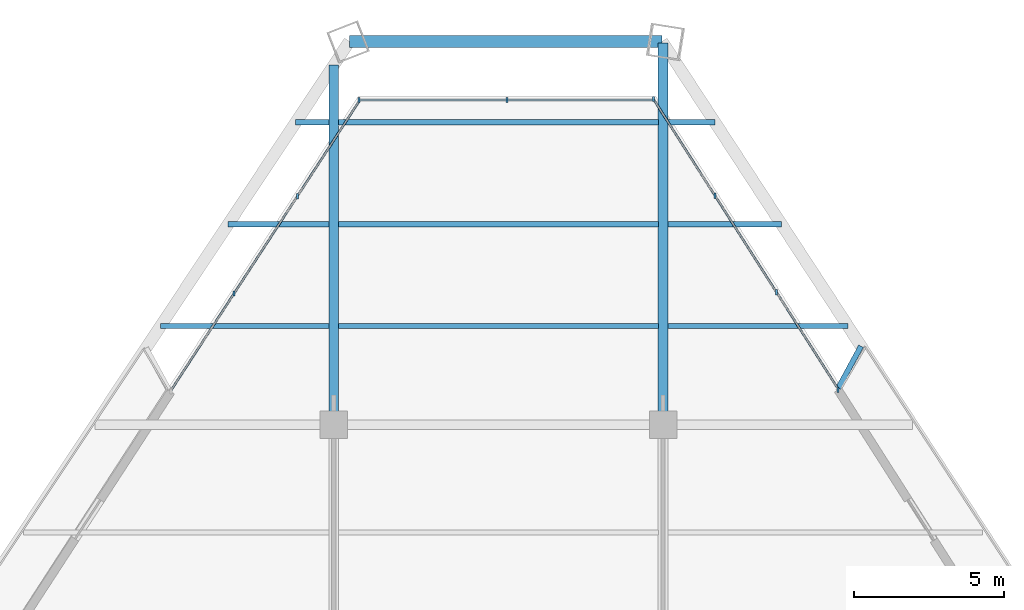
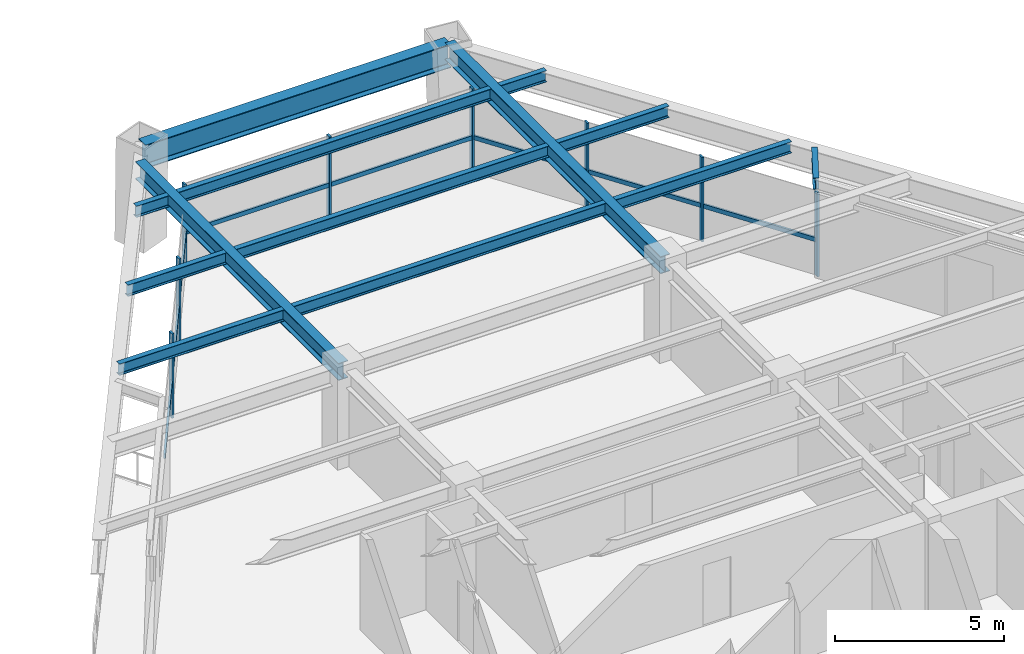
# One storey, part 9 of 15: 16 members, 13 beams, 3 elements without a shape of their own.
"""IFC4 building model written with IfcOpenShell, lengths in metres."""

import ifcopenshell
import ifcopenshell.guid

model = None  # the IFC model being written
_history = None  # IfcOwnerHistory: only IFC2X3 demands one
_inside = {}  # id of a spatial element -> (the spatial element, [elements in it])
_under = {}  # id of a project, library or spatial element -> (it, [spatial elements below it])
_declared = {}  # id of a project -> (the project, [libraries it declares])
_typed = {}  # id of a type object -> (the type object, [elements of that type])
_made_of = {}  # id of a material, layer set ... -> (it, [elements and type objects made of it])


def new_model(schema):
    """Start an empty IFC model of exactly this schema.

    Asked for "IFC4X3", IfcOpenShell would pick the latest addendum, in which some entities
    have other attributes; the version numbers below select the first issue.
    IFC2X3 requires an IfcOwnerHistory on every rooted entity: one is made here for all.
    """
    global model, _history
    if schema == "IFC4X3":
        model = ifcopenshell.file(schema_version=(4, 3, 0, 0))
    else:
        model = ifcopenshell.file(schema=schema)
    _inside.clear()
    _under.clear()
    _declared.clear()
    _typed.clear()
    _made_of.clear()
    _history = None
    if model.schema == "IFC2X3":
        org = make("IfcOrganization", Name="unknown")
        user = make(
            "IfcPersonAndOrganization",
            ThePerson=make("IfcPerson", FamilyName="unknown"),
            TheOrganization=org,
        )
        app = make(
            "IfcApplication",
            ApplicationDeveloper=org,
            Version="unknown",
            ApplicationFullName="unknown",
            ApplicationIdentifier="unknown",
        )
        _history = make(
            "IfcOwnerHistory",
            OwningUser=user,
            OwningApplication=app,
            ChangeAction="ADDED",
            CreationDate=0,
        )
    return model


def make(cls, **values):
    """One entity of the class cls with the attributes given. An attribute that is None is left unset."""
    return model.create_entity(
        cls, **{name: value for name, value in values.items() if value is not None}
    )


def rooted(cls, **values):
    """An entity with a GlobalId (a new one), such as an element, a storey or a relation."""
    return make(cls, GlobalId=ifcopenshell.guid.new(), OwnerHistory=_history, **values)


def si_unit(unit_type, name, prefix=None):
    """IfcSIUnit, for example si_unit("LENGTHUNIT", "METRE", prefix="MILLI")."""
    return make("IfcSIUnit", UnitType=unit_type, Prefix=prefix, Name=name)


def assignment(units):
    """IfcUnitAssignment: the units of a project."""
    return None if units is None else make("IfcUnitAssignment", Units=units)


def point(xyz):
    """IfcCartesianPoint."""
    return None if xyz is None else make("IfcCartesianPoint", Coordinates=xyz)


def direction(xyz):
    """IfcDirection."""
    return None if xyz is None else make("IfcDirection", DirectionRatios=xyz)


def frame(location, z_axis=None, x_axis=None):
    """IfcAxis2Placement3D, a coordinate frame: its origin and axes. An axis left out is left unset."""
    return make(
        "IfcAxis2Placement3D",
        Location=point(location),
        Axis=direction(z_axis),
        RefDirection=direction(x_axis),
    )


def frame_2d(location, x_axis=None):
    """IfcAxis2Placement2D, a coordinate frame in the plane: its origin and x axis."""
    return make(
        "IfcAxis2Placement2D", Location=point(location), RefDirection=direction(x_axis)
    )


def origin():
    """The frame at (0, 0, 0) with its axes left unset."""
    return frame((0.0, 0.0, 0.0))


def origin_2d():
    """The frame at (0, 0) in the plane with its x axis left unset."""
    return frame_2d((0.0, 0.0))


def place(relative_to, where):
    """IfcLocalPlacement: puts the frame where relative to a parent placement (None: the world)."""
    return make(
        "IfcLocalPlacement", PlacementRelTo=relative_to, RelativePlacement=where
    )


def context(
    kind, dimensions, precision=None, world=None, true_north=None, identifier=None
):
    """IfcGeometricRepresentationContext, for example the 3D "Model" context."""
    return make(
        "IfcGeometricRepresentationContext",
        ContextIdentifier=identifier,
        ContextType=kind,
        CoordinateSpaceDimension=dimensions,
        Precision=precision,
        WorldCoordinateSystem=world,
        TrueNorth=true_north,
    )


def subcontext(parent, identifier, kind, view, scale=None):
    """IfcGeometricRepresentationSubContext, for example "Body" below "Model"."""
    return make(
        "IfcGeometricRepresentationSubContext",
        ContextIdentifier=identifier,
        ContextType=kind,
        ParentContext=parent,
        TargetScale=scale,
        TargetView=view,
    )


def project(units=None, contexts=None):
    """IfcProject with its units and contexts."""
    return rooted(
        "IfcProject",
        Name="project",
        RepresentationContexts=contexts,
        UnitsInContext=assignment(units),
    )


def spatial(cls, under=None, at=None, **own):
    """A site, building, storey or space (cls), placed at a placement, below another one or the project."""
    s = rooted(cls, ObjectPlacement=at, **own)
    if under is not None:
        _under.setdefault(under.id(), (under, []))[1].append(s)
    return s


def profile(cls, at=None, kind="AREA", **sizes):
    """A parametric profile (cls). Its sizes go by their IFC names, for example OverallWidth=200.0."""
    return make(cls, ProfileType=kind, Position=at, **sizes)


def rectangle(**sizes):
    """IfcRectangleProfileDef."""
    return profile("IfcRectangleProfileDef", **sizes)


def i_section(**sizes):
    """IfcIShapeProfileDef."""
    return profile("IfcIShapeProfileDef", **sizes)


def extrude(swept, where, along, depth):
    """IfcExtrudedAreaSolid: the profile swept, set in the frame where, extruded along a direction by depth."""
    return make(
        "IfcExtrudedAreaSolid",
        SweptArea=swept,
        Position=where,
        ExtrudedDirection=direction(along),
        Depth=depth,
    )


def shape(context_of_items, identifier, shape_type, items):
    """IfcShapeRepresentation: the items that make up one representation, for example the "Body"."""
    return make(
        "IfcShapeRepresentation",
        ContextOfItems=context_of_items,
        RepresentationIdentifier=identifier,
        RepresentationType=shape_type,
        Items=items,
    )


def source(mapping_origin, context_of_items, identifier, shape_type, items):
    """IfcRepresentationMap: a shape defined once, which mapped items show again and again."""
    return make(
        "IfcRepresentationMap",
        MappingOrigin=mapping_origin,
        MappedRepresentation=shape(context_of_items, identifier, shape_type, items),
    )


def transform(
    local_origin,
    x_axis=None,
    y_axis=None,
    z_axis=None,
    scale=None,
    scale2=None,
    scale3=None,
    uniform=True,
):
    """IfcCartesianTransformationOperator3D, or its non-uniform kind. x_axis, y_axis, z_axis: its Axis1, 2, 3."""
    if uniform:
        return make(
            "IfcCartesianTransformationOperator3D",
            Axis1=direction(x_axis),
            Axis2=direction(y_axis),
            LocalOrigin=point(local_origin),
            Scale=scale,
            Axis3=direction(z_axis),
        )
    return make(
        "IfcCartesianTransformationOperator3DnonUniform",
        Axis1=direction(x_axis),
        Axis2=direction(y_axis),
        LocalOrigin=point(local_origin),
        Scale=scale,
        Axis3=direction(z_axis),
        Scale2=scale2,
        Scale3=scale3,
    )


def mapped(mapping_source, mapping_target):
    """IfcMappedItem: shows the shape of a source again, moved by a transform."""
    return make(
        "IfcMappedItem", MappingSource=mapping_source, MappingTarget=mapping_target
    )


def material(Name=None, Category=None):
    """IfcMaterial."""
    return make("IfcMaterial", Name=Name, Category=Category)


def material_profile(
    of_material, cross_section, Name=None, Category=None, Priority=None
):
    """IfcMaterialProfile: a cross section and its material."""
    return make(
        "IfcMaterialProfile",
        Name=Name,
        Material=of_material,
        Profile=cross_section,
        Priority=Priority,
        Category=Category,
    )


def profile_set(profiles, Name=None, composite=None):
    """IfcMaterialProfileSet."""
    return make(
        "IfcMaterialProfileSet",
        Name=Name,
        MaterialProfiles=profiles,
        CompositeProfile=composite,
    )


def made_of(thing, what):
    """Note that an element or type object is made of a material, layer set ...; save() writes the relation."""
    if what is not None:
        _made_of.setdefault(what.id(), (what, []))[1].append(thing)
    return thing


def type_object(cls, material=None, **own):
    """A type object (cls), such as IfcWallType, which elements share."""
    return made_of(rooted(cls, **own), material)


def element(
    cls,
    number,
    at=None,
    inside=None,
    cuts=None,
    type_object=None,
    material=None,
    context=None,
    identifier="Body",
    shape_type=None,
    held_by="IfcProductDefinitionShape",
    body=None,
    shapes=None,
    **own,
):
    """One element of the class cls, such as IfcWall. Its Tag is "e" and its number.

    at: its placement. inside: the storey or other place that contains it. cuts: it is an
    opening in that element (IfcRelVoidsElement). A single representation is given by context,
    identifier, shape_type and body (its items); several are given by shapes. held_by: the class
    of the entity that holds the representations. save() writes the other relations.
    """
    e = rooted(cls, Tag="e%d" % number, ObjectPlacement=at, **own)
    if body is not None:
        shapes = [shape(context, identifier, shape_type, body)]
    if shapes is not None:
        e.Representation = make(held_by, Representations=shapes)
    if inside is not None:
        _inside.setdefault(inside.id(), (inside, []))[1].append(e)
    if cuts is not None:
        rooted(
            "IfcRelVoidsElement", RelatingBuildingElement=cuts, RelatedOpeningElement=e
        )
    if type_object is not None:
        _typed.setdefault(type_object.id(), (type_object, []))[1].append(e)
    return made_of(e, material)


def aggregate(whole, parts):
    """IfcRelAggregates: a whole, such as a stair, and the parts it consists of."""
    return rooted("IfcRelAggregates", RelatingObject=whole, RelatedObjects=parts)


def save(model, path):
    """Write the relations noted so far, then the file.

    IfcRelAggregates (storeys below a building ...), IfcRelContainedInSpatialStructure (elements
    in a storey), IfcRelDefinesByType, IfcRelAssociatesMaterial and IfcRelDeclares: one each for
    every whole, place, type object, material and project.
    """
    for whole, parts in _under.values():
        aggregate(whole, parts)
    for where, things in _inside.values():
        rooted(
            "IfcRelContainedInSpatialStructure",
            RelatedElements=things,
            RelatingStructure=where,
        )
    for kind, things in _typed.values():
        rooted("IfcRelDefinesByType", RelatedObjects=things, RelatingType=kind)
    for what, things in _made_of.values():
        rooted("IfcRelAssociatesMaterial", RelatedObjects=things, RelatingMaterial=what)
    for by, libraries in _declared.values():
        rooted("IfcRelDeclares", RelatingContext=by, RelatedDefinitions=libraries)
    model.write(path)


model = new_model("IFC4")

# Units and contexts
model_context = context("Model", 3, precision=1e-05, world=origin(), true_north=direction((0.0, 1.0)))
body_context = subcontext(model_context, "Body", "Model", "MODEL_VIEW")
ifc_project = project(units=[si_unit("LENGTHUNIT", "METRE"), si_unit("AREAUNIT", "SQUARE_METRE"), si_unit("VOLUMEUNIT", "CUBIC_METRE"), si_unit("PLANEANGLEUNIT", "RADIAN"), si_unit("MASSUNIT", "GRAM", prefix="KILO")], contexts=[model_context])

# Site, building, storey
site_placement = place(None, origin())
site = spatial("IfcSite", under=ifc_project, at=site_placement, CompositionType="ELEMENT")
building_placement = place(site_placement, origin())
building = spatial("IfcBuilding", under=site, at=building_placement, Name="Varnakhor Terracotta Tower", CompositionType="ELEMENT")
storey_placement = place(building_placement, frame((0.0, 0.0, 140.39990234375)))
storey = spatial("IfcBuildingStorey", under=building, at=storey_placement, Name="L35", CompositionType="ELEMENT", Elevation=140.39990234375)

# Beams
ifc_material_1 = material(Name="Steel S355", Category="steel")
ifc_material_profile_1 = material_profile(ifc_material_1, i_section(OverallWidth=0.179931640625, OverallDepth=0.4130859375, WebThickness=0.009765625, FlangeThickness=0.01611328125, FilletRadius=0.01806640625, at=origin_2d()), Name="W16X50")
ifc_profile_set_1 = profile_set([ifc_material_profile_1], Name="Steel S355")
beam_type_1 = type_object("IfcBeamType", Name="JST-W16X50", PredefinedType="JOIST", material=ifc_profile_set_1)
shared_shape_1 = source(origin(), body_context, "Body", "SweptSolid", [
    extrude(i_section(OverallWidth=0.179931640625, OverallDepth=0.4130859375, WebThickness=0.009765625, FlangeThickness=0.01611328125, FilletRadius=0.01806640625, at=origin_2d()), origin(), (0.0, 0.0, 1.0), 10.68310546875),
])
for number, where, z_axis, x_axis, name in (
    (1, (-5.341552734375, 34.800048828125, 3.263671875), (1.0, 0.0, 0.0), (0.0, 1.0, 0.0), "L35 Composite Floor Joist 7-2"),
    (2, (-5.341552734375, 38.199951171875, 3.263671875), (1.0, 0.0, 0.0), (0.0, 1.0, 0.0), "L35 Composite Floor Joist 8-2"),
    (3, (-5.341552734375, 41.60009765625, 3.263671875), (1.0, 0.0, 0.0), (0.0, 1.0, 0.0), "L35 Composite Floor Joist 9-2"),
):
    element("IfcBeam", number, at=place(storey_placement, frame(where, z_axis=z_axis, x_axis=x_axis)), inside=storey, type_object=beam_type_1, Name=name, PredefinedType="JOIST", context=body_context, shape_type="MappedRepresentation", body=[
        mapped(shared_shape_1, transform((0.0, 0.0, 0.0), scale=1.0)),
    ])
ifc_material_profile_2 = material_profile(ifc_material_1, i_section(OverallWidth=0.39990234375, OverallDepth=0.85498046875, WebThickness=0.01806640625, FlangeThickness=0.029052734375, FilletRadius=0.01806640625, at=origin_2d()), Name="W33X201")
ifc_profile_set_2 = profile_set([ifc_material_profile_2], Name="Steel S355")
beam_type_2 = type_object("IfcBeamType", Name="BM-W33X201", PredefinedType="BEAM", material=ifc_profile_set_2)
shared_shape_2 = source(origin(), body_context, "Body", "SweptSolid", [
    extrude(i_section(OverallWidth=0.39990234375, OverallDepth=0.85498046875, WebThickness=0.01806640625, FlangeThickness=0.029052734375, FilletRadius=0.01806640625, at=origin_2d()), origin(), (0.0, 0.0, 1.0), 10.441650390625),
])
beam_1_placement = place(storey_placement, frame((5.465087890625, 44.309814453125, 3.04248046875), z_axis=(-1.0, 0.0, 0.0), x_axis=(0.0, -1.0, 0.0)))
element("IfcBeam", 4, at=beam_1_placement, inside=storey, type_object=beam_type_2, Name="L35 Perimeter Spandrel 5", PredefinedType="BEAM", context=body_context, shape_type="MappedRepresentation", body=[
    mapped(shared_shape_2, transform((0.0, 0.0, 0.0), scale=1.0)),
])
ifc_material_profile_3 = material_profile(ifc_material_1, i_section(OverallWidth=0.324951171875, OverallDepth=0.615966796875, WebThickness=0.013916015625, FlangeThickness=0.02197265625, FilletRadius=0.01806640625, at=origin_2d()), Name="W24X117")
ifc_profile_set_3 = profile_set([ifc_material_profile_3], Name="Steel S355")
beam_type_3 = type_object("IfcBeamType", Name="BM-W24X117", PredefinedType="BEAM", material=ifc_profile_set_3)
shared_shape_3 = source(origin(), body_context, "Body", "SweptSolid", [
    extrude(i_section(OverallWidth=0.324951171875, OverallDepth=0.615966796875, WebThickness=0.013916015625, FlangeThickness=0.02197265625, FilletRadius=0.01806640625, at=origin_2d()), origin(), (0.0, 0.0, 1.0), 12.02099609375),
])
beam_2_placement = place(storey_placement, frame((-5.5, 31.5, 3.162109375), z_axis=(0.0, 1.0, 0.0), x_axis=(-1.0, 0.0, 0.0)))
element("IfcBeam", 5, at=beam_2_placement, inside=storey, type_object=beam_type_3, Name="L35 Primary Girder NS3-W", PredefinedType="BEAM", context=body_context, shape_type="MappedRepresentation", body=[
    mapped(shared_shape_3, transform((0.0, 0.0, 0.0), scale=1.0)),
])
shared_shape_4 = source(origin(), body_context, "Body", "SweptSolid", [
    extrude(i_section(OverallWidth=0.324951171875, OverallDepth=0.615966796875, WebThickness=0.013916015625, FlangeThickness=0.02197265625, FilletRadius=0.01806640625, at=origin_2d()), origin(), (0.0, 0.0, 1.0), 12.756103515625),
])
beam_3_placement = place(storey_placement, frame((5.5, 31.5, 3.162109375), z_axis=(0.0, 1.0, 0.0), x_axis=(-1.0, 0.0, 0.0)))
element("IfcBeam", 6, at=beam_3_placement, inside=storey, type_object=beam_type_3, Name="L35 Primary Girder NS3-E", PredefinedType="BEAM", context=body_context, shape_type="MappedRepresentation", body=[
    mapped(shared_shape_4, transform((0.0, 0.0, 0.0), scale=1.0)),
])
shared_shape_5 = source(origin(), body_context, "Body", "SweptSolid", [
    extrude(i_section(OverallWidth=0.179931640625, OverallDepth=0.4130859375, WebThickness=0.009765625, FlangeThickness=0.01611328125, FilletRadius=0.01806640625, at=origin_2d()), origin(), (0.0, 0.0, 1.0), 5.63037109375),
])
beam_4_placement = place(storey_placement, frame((-11.288818359375, 34.800048828125, 3.263671875), z_axis=(1.0, 0.0, 0.0), x_axis=(0.0, 1.0, 0.0)))
element("IfcBeam", 7, at=beam_4_placement, inside=storey, type_object=beam_type_1, Name="L35 Composite Floor Joist 7-1", PredefinedType="JOIST", context=body_context, shape_type="MappedRepresentation", body=[
    mapped(shared_shape_5, transform((0.0, 0.0, 0.0), scale=1.0)),
])
shared_shape_6 = source(origin(), body_context, "Body", "SweptSolid", [
    extrude(i_section(OverallWidth=0.179931640625, OverallDepth=0.4130859375, WebThickness=0.009765625, FlangeThickness=0.01611328125, FilletRadius=0.01806640625, at=origin_2d()), origin(), (0.0, 0.0, 1.0), 6.01416015625),
])
beam_5_placement = place(storey_placement, frame((5.658447265625, 34.800048828125, 3.263671875), z_axis=(1.0, 0.0, 0.0), x_axis=(0.0, 1.0, 0.0)))
element("IfcBeam", 8, at=beam_5_placement, inside=storey, type_object=beam_type_1, Name="L35 Composite Floor Joist 7-3", PredefinedType="JOIST", context=body_context, shape_type="MappedRepresentation", body=[
    mapped(shared_shape_6, transform((0.0, 0.0, 0.0), scale=1.0)),
])
shared_shape_7 = source(origin(), body_context, "Body", "SweptSolid", [
    extrude(i_section(OverallWidth=0.179931640625, OverallDepth=0.4130859375, WebThickness=0.009765625, FlangeThickness=0.01611328125, FilletRadius=0.01806640625, at=origin_2d()), origin(), (0.0, 0.0, 1.0), 3.37353515625),
])
beam_6_placement = place(storey_placement, frame((-9.031982421875, 38.199951171875, 3.263671875), z_axis=(1.0, 0.0, 0.0), x_axis=(0.0, 1.0, 0.0)))
element("IfcBeam", 9, at=beam_6_placement, inside=storey, type_object=beam_type_1, Name="L35 Composite Floor Joist 8-1", PredefinedType="JOIST", context=body_context, shape_type="MappedRepresentation", body=[
    mapped(shared_shape_7, transform((0.0, 0.0, 0.0), scale=1.0)),
])
shared_shape_8 = source(origin(), body_context, "Body", "SweptSolid", [
    extrude(i_section(OverallWidth=0.179931640625, OverallDepth=0.4130859375, WebThickness=0.009765625, FlangeThickness=0.01611328125, FilletRadius=0.01806640625, at=origin_2d()), origin(), (0.0, 0.0, 1.0), 3.794677734375),
])
beam_7_placement = place(storey_placement, frame((5.658447265625, 38.199951171875, 3.263671875), z_axis=(1.0, 0.0, 0.0), x_axis=(0.0, 1.0, 0.0)))
element("IfcBeam", 10, at=beam_7_placement, inside=storey, type_object=beam_type_1, Name="L35 Composite Floor Joist 8-3", PredefinedType="JOIST", context=body_context, shape_type="MappedRepresentation", body=[
    mapped(shared_shape_8, transform((0.0, 0.0, 0.0), scale=1.0)),
])
shared_shape_9 = source(origin(), body_context, "Body", "SweptSolid", [
    extrude(i_section(OverallWidth=0.179931640625, OverallDepth=0.4130859375, WebThickness=0.009765625, FlangeThickness=0.01611328125, FilletRadius=0.01806640625, at=origin_2d()), origin(), (0.0, 0.0, 1.0), 1.11669921875),
])
beam_8_placement = place(storey_placement, frame((-6.775146484375, 41.60009765625, 3.263671875), z_axis=(1.0, 0.0, 0.0), x_axis=(0.0, 1.0, 0.0)))
element("IfcBeam", 11, at=beam_8_placement, inside=storey, type_object=beam_type_1, Name="L35 Composite Floor Joist 9-1", PredefinedType="JOIST", context=body_context, shape_type="MappedRepresentation", body=[
    mapped(shared_shape_9, transform((0.0, 0.0, 0.0), scale=1.0)),
])
shared_shape_10 = source(origin(), body_context, "Body", "SweptSolid", [
    extrude(i_section(OverallWidth=0.179931640625, OverallDepth=0.4130859375, WebThickness=0.009765625, FlangeThickness=0.01611328125, FilletRadius=0.01806640625, at=origin_2d()), origin(), (0.0, 0.0, 1.0), 1.575439453125),
])
beam_9_placement = place(storey_placement, frame((5.658447265625, 41.60009765625, 3.263671875), z_axis=(1.0, 0.0, 0.0), x_axis=(0.0, 1.0, 0.0)))
element("IfcBeam", 12, at=beam_9_placement, inside=storey, type_object=beam_type_1, Name="L35 Composite Floor Joist 9-3", PredefinedType="JOIST", context=body_context, shape_type="MappedRepresentation", body=[
    mapped(shared_shape_10, transform((0.0, 0.0, 0.0), scale=1.0)),
])

# Curtain wall, members
ifc_material_2 = material(Name="Anodised Aluminium Curtain Wall System", Category="aluminium")
curtain_wall_type = type_object("IfcCurtainWallType", Name="CW-SYS-MID-OFFICE", PredefinedType="NOTDEFINED", material=ifc_material_2)
curtain_wall_1_placement = place(storey_placement, origin())
curtain_wall_1 = element("IfcCurtainWall", 13, at=curtain_wall_1_placement, inside=storey, type_object=curtain_wall_type, Name="L35 W Facet Curtain Wall 2", PredefinedType="NOTDEFINED")
ifc_material_3 = material(Name="Anodised Aluminium 6063-T6", Category="aluminium")
ifc_material_profile_4 = material_profile(ifc_material_3, rectangle(XDim=0.070068359375, YDim=0.175048828125, at=origin_2d()), Name="ALU MULLION 70x175")
ifc_profile_set_4 = profile_set([ifc_material_profile_4], Name="Anodised Aluminium 6063-T6")
member_type_1 = type_object("IfcMemberType", Name="CWM-03", PredefinedType="MULLION", material=ifc_profile_set_4)
shared_shape_11 = source(origin(), body_context, "Body", "SweptSolid", [
    extrude(rectangle(XDim=0.070068359375, YDim=0.175048828125, at=origin_2d()), origin(), (0.0, 0.0, 1.0), 3.050048828125),
])
member_1_placement = place(storey_placement, frame((-8.83154296875, 35.888427734375, 0.0), z_axis=(0.0, 0.0, 1.0), x_axis=(1.0, 0.0, 0.0)))
member_1 = element("IfcMember", 14, at=member_1_placement, type_object=member_type_1, Name="L35 W Facet Curtain Wall 2 Mullion 2", PredefinedType="MULLION", context=body_context, shape_type="MappedRepresentation", body=[
    mapped(shared_shape_11, transform((0.0, 0.0, 0.0), scale=1.0)),
])
member_2_placement = place(storey_placement, frame((-6.719970703125, 39.133544921875, 0.0), z_axis=(0.0, 0.0, 1.0), x_axis=(1.0, 0.0, 0.0)))
member_2 = element("IfcMember", 15, at=member_2_placement, type_object=member_type_1, Name="L35 W Facet Curtain Wall 2 Mullion 3", PredefinedType="MULLION", context=body_context, shape_type="MappedRepresentation", body=[
    mapped(shared_shape_11, transform((0.0, 0.0, 0.0), scale=1.0)),
])

curtain_wall_2_placement = place(storey_placement, origin())
curtain_wall_2 = element("IfcCurtainWall", 16, at=curtain_wall_2_placement, inside=storey, type_object=curtain_wall_type, Name="L35 Facet Curtain Wall 2", PredefinedType="NOTDEFINED")
member_3_placement = place(storey_placement, frame((-4.662841796875, 42.349365234375, 0.0), z_axis=(0.0, 0.0, 1.0), x_axis=(1.0, 0.0, 0.0)))
member_3 = element("IfcMember", 17, at=member_3_placement, type_object=member_type_1, Name="L35 Facet Curtain Wall 2 Mullion 1", PredefinedType="MULLION", context=body_context, shape_type="MappedRepresentation", body=[
    mapped(shared_shape_11, transform((0.0, 0.0, 0.0), scale=1.0)),
])
member_4_placement = place(storey_placement, frame((0.28466796875, 42.349365234375, 0.0), z_axis=(0.0, 0.0, 1.0), x_axis=(1.0, 0.0, 0.0)))
member_4 = element("IfcMember", 18, at=member_4_placement, type_object=member_type_1, Name="L35 Facet Curtain Wall 2 Mullion 2", PredefinedType="MULLION", context=body_context, shape_type="MappedRepresentation", body=[
    mapped(shared_shape_11, transform((0.0, 0.0, 0.0), scale=1.0)),
])

curtain_wall_3_placement = place(storey_placement, origin())
curtain_wall_3 = element("IfcCurtainWall", 19, at=curtain_wall_3_placement, inside=storey, type_object=curtain_wall_type, Name="L35 E Facet Curtain Wall 1", PredefinedType="NOTDEFINED")
member_5_placement = place(storey_placement, frame((5.177001953125, 42.379638671875, 0.0), z_axis=(0.0, 0.0, 1.0), x_axis=(1.0, 0.0, 0.0)))
member_5 = element("IfcMember", 20, at=member_5_placement, type_object=member_type_1, Name="L35 E Facet Curtain Wall 1 Mullion 1", PredefinedType="MULLION", context=body_context, shape_type="MappedRepresentation", body=[
    mapped(shared_shape_11, transform((0.0, 0.0, 0.0), scale=1.0)),
])
member_6_placement = place(storey_placement, frame((7.2333984375, 39.152587890625, 0.0), z_axis=(0.0, 0.0, 1.0), x_axis=(1.0, 0.0, 0.0)))
member_6 = element("IfcMember", 21, at=member_6_placement, type_object=member_type_1, Name="L35 E Facet Curtain Wall 1 Mullion 2", PredefinedType="MULLION", context=body_context, shape_type="MappedRepresentation", body=[
    mapped(shared_shape_11, transform((0.0, 0.0, 0.0), scale=1.0)),
])
member_7_placement = place(storey_placement, frame((9.28955078125, 35.92578125, 0.0), z_axis=(0.0, 0.0, 1.0), x_axis=(1.0, 0.0, 0.0)))
member_7 = element("IfcMember", 22, at=member_7_placement, type_object=member_type_1, Name="L35 E Facet Curtain Wall 1 Mullion 3", PredefinedType="MULLION", context=body_context, shape_type="MappedRepresentation", body=[
    mapped(shared_shape_11, transform((0.0, 0.0, 0.0), scale=1.0)),
])
member_8_placement = place(storey_placement, frame((11.34521484375, 32.6630859375, 0.0), z_axis=(0.0, 0.0, 1.0), x_axis=(1.0, 0.0, 0.0)))
member_8 = element("IfcMember", 23, at=member_8_placement, type_object=member_type_1, Name="L35 E Loggia Jamb Closure Mullion 1", PredefinedType="MULLION", context=body_context, shape_type="MappedRepresentation", body=[
    mapped(shared_shape_11, transform((0.0, 0.0, 0.0), scale=1.0)),
])

# Member
ifc_material_profile_5 = material_profile(ifc_material_3, rectangle(XDim=0.070068359375, YDim=0.155029296875, at=origin_2d()), Name="ALU TRANSOM 70x155")
ifc_profile_set_5 = profile_set([ifc_material_profile_5], Name="Anodised Aluminium 6063-T6")
member_type_2 = type_object("IfcMemberType", Name="CWT-03", PredefinedType="USERDEFINED", material=ifc_profile_set_5)
shared_shape_12 = source(origin(), body_context, "Body", "SweptSolid", [
    extrude(rectangle(XDim=0.070068359375, YDim=0.155029296875, at=origin_2d()), origin(), (0.0, 0.0, 1.0), 3.87158203125),
])
member_9_placement = place(storey_placement, frame((-10.94287109375, 32.643310546875, 1.281005859375), z_axis=(0.545351814644, 0.838207252572, 0.0), x_axis=(-0.838207252572, 0.545351814644, 0.0)))
member_9 = element("IfcMember", 24, at=member_9_placement, type_object=member_type_2, Name="L35 W Facet Curtain Wall 2 Transom 1", ObjectType="TRANSOM", PredefinedType="USERDEFINED", context=body_context, shape_type="MappedRepresentation", body=[
    mapped(shared_shape_12, transform((0.0, 0.0, 0.0), scale=1.0)),
])

member_10_placement = place(storey_placement, frame((-8.83154296875, 35.888427734375, 1.281005859375), z_axis=(0.545396118498, 0.838178426069, 0.0), x_axis=(-0.838178426069, 0.545396118498, 0.0)))
member_10 = element("IfcMember", 25, at=member_10_placement, type_object=member_type_2, Name="L35 W Facet Curtain Wall 2 Transom 2", ObjectType="TRANSOM", PredefinedType="USERDEFINED", context=body_context, shape_type="MappedRepresentation", body=[
    mapped(shared_shape_12, transform((0.0, 0.0, 0.0), scale=1.0)),
])

member_11_placement = place(storey_placement, frame((-6.719970703125, 39.133544921875, 1.281005859375), z_axis=(0.545322989521, 0.838226005979, 0.0), x_axis=(-0.838226005979, 0.545322989521, 0.0)))
member_11 = element("IfcMember", 26, at=member_11_placement, type_object=member_type_2, Name="L35 W Facet Curtain Wall 2 Transom 3", ObjectType="TRANSOM", PredefinedType="USERDEFINED", context=body_context, shape_type="MappedRepresentation", body=[
    mapped(shared_shape_12, transform((0.0, 0.0, 0.0), scale=1.0)),
])

aggregate(curtain_wall_1, [member_9, member_1, member_10, member_2, member_11])

shared_shape_13 = source(origin(), body_context, "Body", "SweptSolid", [
    extrude(rectangle(XDim=0.070068359375, YDim=0.155029296875, at=origin_2d()), origin(), (0.0, 0.0, 1.0), 4.947509765625),
])
member_12_placement = place(storey_placement, frame((-4.662841796875, 42.349365234375, 1.281005859375), z_axis=(1.0, 0.0, 0.0), x_axis=(0.0, 1.0, 0.0)))
member_12 = element("IfcMember", 27, at=member_12_placement, type_object=member_type_2, Name="L35 Facet Curtain Wall 2 Transom 1", ObjectType="TRANSOM", PredefinedType="USERDEFINED", context=body_context, shape_type="MappedRepresentation", body=[
    mapped(shared_shape_13, transform((0.0, 0.0, 0.0), scale=1.0)),
])

member_13_placement = place(storey_placement, frame((0.28466796875, 42.349365234375, 1.281005859375), z_axis=(1.0, 0.0, 0.0), x_axis=(0.0, 1.0, 0.0)))
member_13 = element("IfcMember", 28, at=member_13_placement, type_object=member_type_2, Name="L35 Facet Curtain Wall 2 Transom 2", ObjectType="TRANSOM", PredefinedType="USERDEFINED", context=body_context, shape_type="MappedRepresentation", body=[
    mapped(shared_shape_13, transform((0.0, 0.0, 0.0), scale=1.0)),
])

aggregate(curtain_wall_2, [member_3, member_12, member_4, member_13])

shared_shape_14 = source(origin(), body_context, "Body", "SweptSolid", [
    extrude(rectangle(XDim=0.070068359375, YDim=0.155029296875, at=origin_2d()), origin(), (0.0, 0.0, 1.0), 3.82666015625),
])
member_14_placement = place(storey_placement, frame((5.177001953125, 42.379638671875, 1.281005859375), z_axis=(0.53739968639, -0.84332768072, 0.0), x_axis=(0.84332768072, 0.53739968639, 0.0)))
member_14 = element("IfcMember", 29, at=member_14_placement, type_object=member_type_2, Name="L35 E Facet Curtain Wall 1 Transom 1", ObjectType="TRANSOM", PredefinedType="USERDEFINED", context=body_context, shape_type="MappedRepresentation", body=[
    mapped(shared_shape_14, transform((0.0, 0.0, 0.0), scale=1.0)),
])

shared_shape_15 = source(origin(), body_context, "Body", "SweptSolid", [
    extrude(rectangle(XDim=0.070068359375, YDim=0.155029296875, at=origin_2d()), origin(), (0.0, 0.0, 1.0), 3.826171875),
])
member_15_placement = place(storey_placement, frame((7.2333984375, 39.152587890625, 1.281005859375), z_axis=(0.537383224218, -0.843338170801, 0.0), x_axis=(0.843338170801, 0.537383224218, 0.0)))
member_15 = element("IfcMember", 30, at=member_15_placement, type_object=member_type_2, Name="L35 E Facet Curtain Wall 1 Transom 2", ObjectType="TRANSOM", PredefinedType="USERDEFINED", context=body_context, shape_type="MappedRepresentation", body=[
    mapped(shared_shape_15, transform((0.0, 0.0, 0.0), scale=1.0)),
])

shared_shape_16 = source(origin(), body_context, "Body", "SweptSolid", [
    extrude(rectangle(XDim=0.070068359375, YDim=0.155029296875, at=origin_2d()), origin(), (0.0, 0.0, 1.0), 3.826416015625),
])
member_16_placement = place(storey_placement, frame((9.28955078125, 35.92578125, 1.281005859375), z_axis=(0.537428602708, -0.843309253472, 0.0), x_axis=(0.843309253472, 0.537428602708, 0.0)))
member_16 = element("IfcMember", 31, at=member_16_placement, type_object=member_type_2, Name="L35 E Facet Curtain Wall 1 Transom 3", ObjectType="TRANSOM", PredefinedType="USERDEFINED", context=body_context, shape_type="MappedRepresentation", body=[
    mapped(shared_shape_16, transform((0.0, 0.0, 0.0), scale=1.0)),
])

aggregate(curtain_wall_3, [member_5, member_14, member_6, member_15, member_7, member_16, member_8])

# Beam
ifc_material_profile_6 = material_profile(ifc_material_1, i_section(OverallWidth=0.179931640625, OverallDepth=0.39990234375, WebThickness=0.008544921875, FlangeThickness=0.013427734375, FilletRadius=0.01806640625, at=origin_2d()), Name="IPE400")
ifc_profile_set_6 = profile_set([ifc_material_profile_6], Name="Steel S355")
beam_type_4 = type_object("IfcBeamType", Name="JST-IPE400", PredefinedType="JOIST", material=ifc_profile_set_6)
shared_shape_17 = source(origin(), body_context, "Body", "SweptSolid", [
    extrude(i_section(OverallWidth=0.179931640625, OverallDepth=0.39990234375, WebThickness=0.008544921875, FlangeThickness=0.013427734375, FilletRadius=0.01806640625, at=origin_2d()), origin(), (0.0, 0.0, 1.0), 1.598388671875),
])
beam_10_placement = place(storey_placement, frame((11.350830078125, 32.7197265625, 3.27001953125), z_axis=(0.477321057093, 0.878728973265, 0.0), x_axis=(-0.878728973265, 0.477321057093, 0.0)))
element("IfcBeam", 32, at=beam_10_placement, inside=storey, type_object=beam_type_4, Name="L36 E Loggia Tie Beam 1", PredefinedType="JOIST", context=body_context, shape_type="MappedRepresentation", body=[
    mapped(shared_shape_17, transform((0.0, 0.0, 0.0), scale=1.0)),
])

save(model, "model.ifc")
